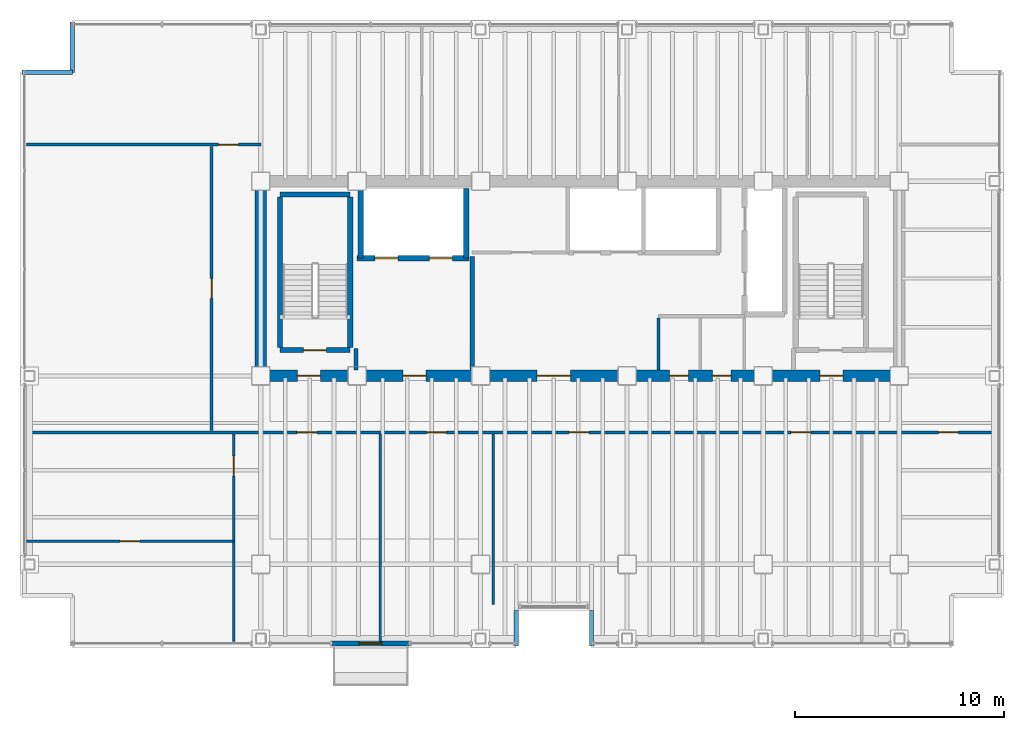
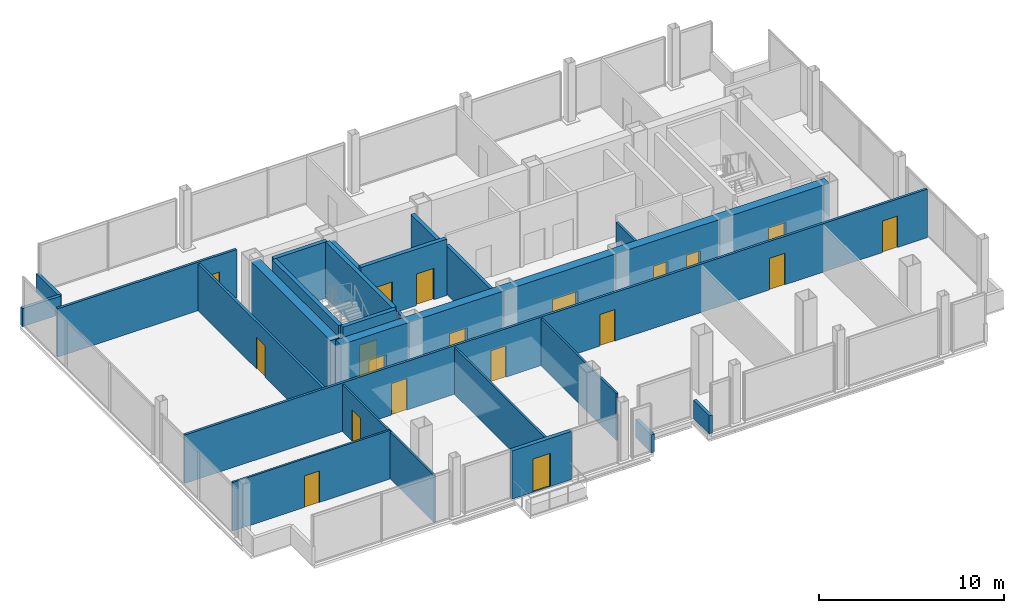
# One storey, part 16 of 18: 24 walls, 19 doors, 19 openings.
"""IFC4 building model written with IfcOpenShell, lengths in metres."""

from ifc_helpers import new_model, si_unit, direction, frame, frame_2d, origin, place, context, subcontext, project, spatial, rectangle, extrude, material, layer, layer_set, type_object, element, fill, save


model = new_model("IFC4")

# Units and contexts
model_context = context("Model", 3, precision=1e-05, world=origin(), true_north=direction((0.0, 1.0)))
body_context = subcontext(model_context, "Body", "Model", "MODEL_VIEW")
ifc_project = project(units=[si_unit("LENGTHUNIT", "METRE"), si_unit("AREAUNIT", "SQUARE_METRE"), si_unit("VOLUMEUNIT", "CUBIC_METRE"), si_unit("PLANEANGLEUNIT", "RADIAN"), si_unit("MASSUNIT", "GRAM", prefix="KILO")], contexts=[model_context])

# Site, building, storey
site_placement = place(None, origin())
site = spatial("IfcSite", under=ifc_project, at=site_placement, CompositionType="ELEMENT")
building_placement = place(site_placement, origin())
building = spatial("IfcBuilding", under=site, at=building_placement, Name="Noeulbin Bourse Tower", CompositionType="ELEMENT")
storey_placement = place(building_placement, frame((0.0, 0.0, 161.699951171875)))
storey = spatial("IfcBuildingStorey", under=building, at=storey_placement, Name="L40", CompositionType="ELEMENT", Elevation=161.699951171875)

# Wall, openings, doors
ifc_material_1 = material(Name="Concrete C60/75", Category="concrete")
ifc_layer_1 = layer(ifc_material_1, 0.550048828125)
ifc_layer_set_1 = layer_set([ifc_layer_1], Name="Concrete C60/75")
wall_type_1 = type_object("IfcWallType", Name="WAL-CORE-550", PredefinedType="SHEAR", material=ifc_layer_set_1)
wall_1_placement = place(storey_placement, frame((13.5, 29.0, 0.0), z_axis=(0.0, 0.0, 1.0), x_axis=(1.0, 0.0, 0.0)))
wall_1 = element("IfcWall", 1, at=wall_1_placement, inside=storey, type_object=wall_type_1, Name="Rear Core South Shear Wall L40", PredefinedType="SHEAR", context=body_context, shape_type="SweptSolid", body=[
    extrude(rectangle(XDim=30.5, YDim=0.550048828125, at=frame_2d((15.25, 0.0))), origin(), (0.0, 0.0, 1.0), 3.719970703125),
])
opening_1_placement = place(wall_1_placement, frame((1.75, 0.0, 0.0)))
opening_1 = element("IfcOpeningElement", 2, at=opening_1_placement, cuts=wall_1, Name="Opening FD-11", PredefinedType="OPENING", context=body_context, shape_type="SweptSolid", body=[
    extrude(rectangle(XDim=1.10009765625, YDim=2.080078125, at=frame_2d((0.550048828125, 1.0400390625))), frame((0.0, 0.284912109375, 0.0), z_axis=(0.0, -1.0, 0.0), x_axis=(1.0, 0.0, 0.0)), (0.0, 0.0, 1.0), 0.570068359375),
])
opening_2_placement = place(wall_1_placement, frame((26.699951171875, 0.0, 0.0)))
opening_2 = element("IfcOpeningElement", 3, at=opening_2_placement, cuts=wall_1, Name="Opening FD-11", PredefinedType="OPENING", context=body_context, shape_type="SweptSolid", body=[
    extrude(rectangle(XDim=1.10009765625, YDim=2.080078125, at=frame_2d((0.550048828125, 1.0400390625))), frame((0.0, 0.284912109375, 0.0), z_axis=(0.0, -1.0, 0.0), x_axis=(1.0, 0.0, 0.0)), (0.0, 0.0, 1.0), 0.570068359375),
])
opening_3_placement = place(wall_1_placement, frame((6.800048828125, 0.0, 0.0)))
opening_3 = element("IfcOpeningElement", 4, at=opening_3_placement, cuts=wall_1, Name="Opening FD-11", PredefinedType="OPENING", context=body_context, shape_type="SweptSolid", body=[
    extrude(rectangle(XDim=1.10009765625, YDim=2.080078125, at=frame_2d((0.550048828125, 1.0400390625))), frame((0.0, 0.284912109375, 0.0), z_axis=(0.0, -1.0, 0.0), x_axis=(1.0, 0.0, 0.0)), (0.0, 0.0, 1.0), 0.570068359375),
])
opening_4_placement = place(wall_1_placement, frame((13.199951171875, 0.0, 0.0)))
opening_4 = element("IfcOpeningElement", 5, at=opening_4_placement, cuts=wall_1, Name="Opening ID-16", PredefinedType="OPENING", context=body_context, shape_type="SweptSolid", body=[
    extrude(rectangle(XDim=1.60009765625, YDim=2.080078125, at=frame_2d((0.800048828125, 1.0400390625))), frame((0.0, 0.284912109375, 0.0), z_axis=(0.0, -1.0, 0.0), x_axis=(1.0, 0.0, 0.0)), (0.0, 0.0, 1.0), 0.570068359375),
])
opening_5_placement = place(wall_1_placement, frame((19.530029296875, 0.0, 0.0)))
opening_5 = element("IfcOpeningElement", 6, at=opening_5_placement, cuts=wall_1, Name="Opening FD-09", PredefinedType="OPENING", context=body_context, shape_type="SweptSolid", body=[
    extrude(rectangle(XDim=0.89990234375, YDim=2.080078125, at=frame_2d((0.449951171875, 1.0400390625))), frame((0.0, 0.284912109375, 0.0), z_axis=(0.0, -1.0, 0.0), x_axis=(1.0, 0.0, 0.0)), (0.0, 0.0, 1.0), 0.570068359375),
])
opening_6_placement = place(wall_1_placement, frame((21.570068359375, 0.0, 0.0)))
opening_6 = element("IfcOpeningElement", 7, at=opening_6_placement, cuts=wall_1, Name="Opening FD-09", PredefinedType="OPENING", context=body_context, shape_type="SweptSolid", body=[
    extrude(rectangle(XDim=0.89990234375, YDim=2.080078125, at=frame_2d((0.449951171875, 1.0400390625))), frame((0.0, 0.284912109375, 0.0), z_axis=(0.0, -1.0, 0.0), x_axis=(1.0, 0.0, 0.0)), (0.0, 0.0, 1.0), 0.570068359375),
])
ifc_material_2 = material(Name="Acoustic Glazed Aluminium", Category="aluminium")
door_type_1 = type_object("IfcDoorType", Name="DR-DBL-1600", OperationType="DOUBLE_DOOR_SINGLE_SWING", PredefinedType="DOOR", material=ifc_material_2)
door_1_placement = place(opening_4_placement, origin())
door_1 = element("IfcDoor", 8, at=door_1_placement, inside=storey, type_object=door_type_1, Name="Passenger Lift Lobby Portal L40", OperationType="DOUBLE_DOOR_SINGLE_SWING", OverallHeight=2.080078125, OverallWidth=1.60009765625, PredefinedType="DOOR", context=body_context, shape_type="SweptSolid", body=[
    extrude(rectangle(XDim=1.60009765625, YDim=2.080078125, at=frame_2d((0.800048828125, 1.0400390625))), frame((0.0, 0.02490234375, 0.0), z_axis=(0.0, -1.0, 0.0), x_axis=(1.0, 0.0, 0.0)), (0.0, 0.0, 1.0), 0.050048828125),
])
fill(opening_4, door_1)
ifc_material_3 = material(Name="Fire-Rated Timber Core", Category="wood")
door_type_2 = type_object("IfcDoorType", Name="DR-FD30-900", OperationType="SINGLE_SWING_RIGHT", PredefinedType="DOOR", material=ifc_material_3)
door_2_placement = place(opening_5_placement, origin())
door_2 = element("IfcDoor", 9, at=door_2_placement, inside=storey, type_object=door_type_2, Name="Interior Door L40-06", OperationType="SINGLE_SWING_LEFT", OverallHeight=2.080078125, OverallWidth=0.89990234375, PredefinedType="DOOR", context=body_context, shape_type="SweptSolid", body=[
    extrude(rectangle(XDim=0.89990234375, YDim=2.080078125, at=frame_2d((0.449951171875, 1.0400390625))), frame((0.0, 0.02490234375, 0.0), z_axis=(0.0, -1.0, 0.0), x_axis=(1.0, 0.0, 0.0)), (0.0, 0.0, 1.0), 0.050048828125),
])
fill(opening_5, door_2)
door_3_placement = place(opening_6_placement, origin())
door_3 = element("IfcDoor", 10, at=door_3_placement, inside=storey, type_object=door_type_2, Name="Interior Door L40-07", OperationType="SINGLE_SWING_RIGHT", OverallHeight=2.080078125, OverallWidth=0.89990234375, PredefinedType="DOOR", context=body_context, shape_type="SweptSolid", body=[
    extrude(rectangle(XDim=0.89990234375, YDim=2.080078125, at=frame_2d((0.449951171875, 1.0400390625))), frame((0.0, 0.02490234375, 0.0), z_axis=(0.0, -1.0, 0.0), x_axis=(1.0, 0.0, 0.0)), (0.0, 0.0, 1.0), 0.050048828125),
])
fill(opening_6, door_3)
ifc_material_4 = material(Name="Fire-Rated Insulated Steel", Category="steel")
door_type_3 = type_object("IfcDoorType", Name="DR-FD60-1100", OperationType="SINGLE_SWING_LEFT", PredefinedType="DOOR", material=ifc_material_4)
door_4_placement = place(opening_1_placement, origin())
door_4 = element("IfcDoor", 11, at=door_4_placement, inside=storey, type_object=door_type_3, Name="West Stair Lobby Door L40", OperationType="SINGLE_SWING_RIGHT", OverallHeight=2.080078125, OverallWidth=1.10009765625, PredefinedType="DOOR", context=body_context, shape_type="SweptSolid", body=[
    extrude(rectangle(XDim=1.10009765625, YDim=2.080078125, at=frame_2d((0.550048828125, 1.0400390625))), frame((0.0, 0.02490234375, 0.0), z_axis=(0.0, -1.0, 0.0), x_axis=(1.0, 0.0, 0.0)), (0.0, 0.0, 1.0), 0.050048828125),
])
fill(opening_1, door_4)
door_5_placement = place(opening_2_placement, origin())
door_5 = element("IfcDoor", 12, at=door_5_placement, inside=storey, type_object=door_type_3, Name="East Stair Lobby Door L40", OperationType="SINGLE_SWING_LEFT", OverallHeight=2.080078125, OverallWidth=1.10009765625, PredefinedType="DOOR", context=body_context, shape_type="SweptSolid", body=[
    extrude(rectangle(XDim=1.10009765625, YDim=2.080078125, at=frame_2d((0.550048828125, 1.0400390625))), frame((0.0, 0.02490234375, 0.0), z_axis=(0.0, -1.0, 0.0), x_axis=(1.0, 0.0, 0.0)), (0.0, 0.0, 1.0), 0.050048828125),
])
fill(opening_2, door_5)
door_6_placement = place(opening_3_placement, origin())
door_6 = element("IfcDoor", 13, at=door_6_placement, inside=storey, type_object=door_type_3, Name="Firefighting Lobby Door L40", OperationType="SINGLE_SWING_RIGHT", OverallHeight=2.080078125, OverallWidth=1.10009765625, PredefinedType="DOOR", context=body_context, shape_type="SweptSolid", body=[
    extrude(rectangle(XDim=1.10009765625, YDim=2.080078125, at=frame_2d((0.550048828125, 1.0400390625))), frame((0.0, 0.02490234375, 0.0), z_axis=(0.0, -1.0, 0.0), x_axis=(1.0, 0.0, 0.0)), (0.0, 0.0, 1.0), 0.050048828125),
])
fill(opening_3, door_6)

# Wall
wall_2_placement = place(storey_placement, frame((13.5, 29.35009765625, 0.0), z_axis=(0.0, 0.0, 1.0), x_axis=(0.0, 1.0, 0.0)))
element("IfcWall", 14, at=wall_2_placement, inside=storey, type_object=wall_type_1, Name="Rear Core West Shear Wall L40", PredefinedType="SHEAR", context=body_context, shape_type="SweptSolid", body=[
    extrude(rectangle(XDim=8.599853515625, YDim=0.550048828125, at=frame_2d((4.2998046875, 0.0))), origin(), (0.0, 0.0, 1.0), 3.719970703125),
])

# Wall, opening, door
ifc_material_5 = material(Name="Precast Concrete C40/50", Category="concrete")
ifc_layer_2 = layer(ifc_material_5, 0.25)
ifc_layer_set_2 = layer_set([ifc_layer_2], Name="Precast Concrete C40/50")
wall_type_2 = type_object("IfcWallType", Name="WAL-EXT-250", PredefinedType="STANDARD", material=ifc_layer_set_2)
wall_3_placement = place(storey_placement, frame((16.89990234375, 16.219970703125, 0.0), z_axis=(0.0, 0.0, 1.0), x_axis=(1.0, 0.0, 0.0)))
wall_3 = element("IfcWall", 15, at=wall_3_placement, inside=storey, type_object=wall_type_2, Name="Balcony Threshold Wall L40", PredefinedType="STANDARD", context=body_context, shape_type="SweptSolid", body=[
    extrude(rectangle(XDim=3.7001953125, YDim=0.25, at=frame_2d((1.85009765625, 0.0))), origin(), (0.0, 0.0, 1.0), 3.179931640625),
])
opening_7_placement = place(wall_3_placement, frame((1.300048828125, 0.0, 0.0)))
opening_7 = element("IfcOpeningElement", 16, at=opening_7_placement, cuts=wall_3, Name="Opening BD-11", PredefinedType="OPENING", context=body_context, shape_type="SweptSolid", body=[
    extrude(rectangle(XDim=1.10009765625, YDim=2.199951171875, at=frame_2d((0.550048828125, 1.10009765625))), frame((0.0, 0.135009765625, 0.0), z_axis=(0.0, -1.0, 0.0), x_axis=(1.0, 0.0, 0.0)), (0.0, 0.0, 1.0), 0.27001953125),
])
ifc_material_6 = material(Name="Thermally Broken Aluminium Framed Glass", Category="aluminium")
door_type_4 = type_object("IfcDoorType", Name="DR-BAL-1100", OperationType="SINGLE_SWING_LEFT", PredefinedType="DOOR", material=ifc_material_6)
door_7_placement = place(opening_7_placement, origin())
door_7 = element("IfcDoor", 17, at=door_7_placement, inside=storey, type_object=door_type_4, Name="Tree-Balcony Access Door BD-L40", OperationType="SINGLE_SWING_RIGHT", OverallHeight=2.199951171875, OverallWidth=1.10009765625, PredefinedType="DOOR", context=body_context, shape_type="SweptSolid", body=[
    extrude(rectangle(XDim=1.10009765625, YDim=2.199951171875, at=frame_2d((0.550048828125, 1.10009765625))), frame((0.0, 0.02490234375, 0.0), z_axis=(0.0, -1.0, 0.0), x_axis=(1.0, 0.0, 0.0)), (0.0, 0.0, 1.0), 0.050048828125),
])
fill(opening_7, door_7)

# Walls
ifc_material_7 = material(Name="Concrete C40/50", Category="concrete")
ifc_layer_3 = layer(ifc_material_7, 0.199951171875)
ifc_layer_set_3 = layer_set([ifc_layer_3], Name="Concrete C40/50")
wall_type_3 = type_object("IfcWallType", Name="WAL-FIRE-200", PredefinedType="STANDARD", material=ifc_layer_set_3)
wall_4_placement = place(storey_placement, frame((18.050048828125, 29.284912109375, 0.0), z_axis=(0.0, 0.0, 1.0), x_axis=(0.0, 1.0, 0.0)))
element("IfcWall", 18, at=wall_4_placement, inside=storey, type_object=wall_type_3, Name="Interior Partition Wall L40-08", PredefinedType="STANDARD", context=body_context, shape_type="SweptSolid", body=[
    extrude(rectangle(XDim=1.01513671875, YDim=0.199951171875, at=frame_2d((0.507568359375, 0.0))), origin(), (0.0, 0.0, 1.0), 3.35009765625),
])
wall_5_placement = place(storey_placement, frame((23.60009765625, 29.284912109375, 0.0), z_axis=(0.0, 0.0, 1.0), x_axis=(0.0, 1.0, 0.0)))
element("IfcWall", 19, at=wall_5_placement, inside=storey, type_object=wall_type_3, Name="Interior Partition Wall L40-10", PredefinedType="STANDARD", context=body_context, shape_type="SweptSolid", body=[
    extrude(rectangle(XDim=5.4150390625, YDim=0.199951171875, at=frame_2d((2.70751953125, 0.0))), origin(), (0.0, 0.0, 1.0), 3.199951171875),
])
ifc_layer_4 = layer(ifc_material_7, 0.199951171875)
ifc_layer_set_4 = layer_set([ifc_layer_4], Name="Concrete C40/50")
wall_type_4 = type_object("IfcWallType", Name="WAL-PAR-200", PredefinedType="PARAPET", material=ifc_layer_set_4)
for number, where, z_axis, x_axis, name in (
    (20, (2.10009765625, 43.5, 0.0), (0.0, 0.0, 1.0), (1.0, 0.0, 0.0), "Corner Notch Parapet L40-NW1"),
    (21, (4.5, 43.5, 0.0), (0.0, 0.0, 1.0), (0.0, 1.0, 0.0), "Corner Notch Parapet L40-NW2"),
):
    element("IfcWall", number, at=place(storey_placement, frame(where, z_axis=z_axis, x_axis=x_axis)), inside=storey, type_object=wall_type_4, Name=name, PredefinedType="PARAPET", context=body_context, shape_type="SweptSolid", body=[
        extrude(rectangle(XDim=2.39990234375, YDim=0.199951171875, at=frame_2d((1.199951171875, 0.0))), origin(), (0.0, 0.0, 1.0), 1.199951171875),
    ])
for number, where, z_axis, x_axis, name in (
    (22, (25.699951171875, 16.10009765625, 0.0), (0.0, 0.0, 1.0), (0.0, 1.0, 0.0), "Sky-Garden Recess Parapet L40-W"),
    (23, (29.300048828125, 17.800048828125, 0.0), (0.0, 0.0, 1.0), (0.0, -1.0, 0.0), "Sky-Garden Recess Parapet L40-E"),
):
    element("IfcWall", number, at=place(storey_placement, frame(where, z_axis=z_axis, x_axis=x_axis)), inside=storey, type_object=wall_type_4, Name=name, PredefinedType="PARAPET", context=body_context, shape_type="SweptSolid", body=[
        extrude(rectangle(XDim=1.699951171875, YDim=0.199951171875, at=frame_2d((0.85009765625, 0.0))), origin(), (0.0, 0.0, 1.0), 1.199951171875),
    ])

# Wall, opening, door
ifc_material_8 = material(Name="Steel Stud Gypsum Partition", Category="steel")
ifc_layer_5 = layer(ifc_material_8, 0.1201171875)
ifc_layer_set_5 = layer_set([ifc_layer_5], Name="Steel Stud Gypsum Partition")
wall_type_5 = type_object("IfcWallType", Name="WAL-PRT-120", PredefinedType="PARTITIONING", material=ifc_layer_set_5)
wall_6_placement = place(storey_placement, frame((2.31005859375, 21.10009765625, 0.0), z_axis=(0.0, 0.0, 1.0), x_axis=(1.0, 0.0, 0.0)))
wall_6 = element("IfcWall", 24, at=wall_6_placement, inside=storey, type_object=wall_type_5, Name="Interior Partition Wall L40-05", PredefinedType="PARTITIONING", context=body_context, shape_type="SweptSolid", body=[
    extrude(rectangle(XDim=9.889892578125, YDim=0.1201171875, at=frame_2d((4.94482421875, 0.0))), origin(), (0.0, 0.0, 1.0), 3.212158203125),
])
opening_8_placement = place(wall_6_placement, frame((4.469970703125, 0.0, 0.0)))
opening_8 = element("IfcOpeningElement", 25, at=opening_8_placement, cuts=wall_6, Name="Opening ID-09", PredefinedType="OPENING", context=body_context, shape_type="SweptSolid", body=[
    extrude(rectangle(XDim=0.949951171875, YDim=2.080078125, at=frame_2d((0.47509765625, 1.0400390625))), frame((0.0, 0.070068359375, 0.0), z_axis=(0.0, -1.0, 0.0), x_axis=(1.0, 0.0, 0.0)), (0.0, 0.0, 1.0), 0.14013671875),
])
ifc_material_9 = material(Name="Acoustic Solid-Core Timber", Category="wood")
door_type_5 = type_object("IfcDoorType", Name="DR-SINGLE-950", OperationType="SINGLE_SWING_LEFT", PredefinedType="DOOR", material=ifc_material_9)
door_8_placement = place(opening_8_placement, origin())
door_8 = element("IfcDoor", 26, at=door_8_placement, inside=storey, type_object=door_type_5, Name="Interior Door L40-08", OperationType="SINGLE_SWING_LEFT", OverallHeight=2.080078125, OverallWidth=0.949951171875, PredefinedType="DOOR", context=body_context, shape_type="SweptSolid", body=[
    extrude(rectangle(XDim=0.949951171875, YDim=2.080078125, at=frame_2d((0.47509765625, 1.0400390625))), frame((0.0, 0.02490234375, 0.0), z_axis=(0.0, -1.0, 0.0), x_axis=(1.0, 0.0, 0.0)), (0.0, 0.0, 1.0), 0.050048828125),
])
fill(opening_8, door_8)

wall_7_placement = place(storey_placement, frame((12.199951171875, 16.31005859375, 0.0), z_axis=(0.0, 0.0, 1.0), x_axis=(0.0, 1.0, 0.0)))
wall_7 = element("IfcWall", 27, at=wall_7_placement, inside=storey, type_object=wall_type_5, Name="Interior Partition Wall L40-15", PredefinedType="PARTITIONING", context=body_context, shape_type="SweptSolid", body=[
    extrude(rectangle(XDim=9.905029296875, YDim=0.1201171875, at=frame_2d((4.95263671875, 0.0))), origin(), (0.0, 0.0, 1.0), 3.10009765625),
])
opening_9_placement = place(wall_7_placement, frame((7.9150390625, 0.0, 0.0)))
opening_9 = element("IfcOpeningElement", 28, at=opening_9_placement, cuts=wall_7, Name="Opening ID-09", PredefinedType="OPENING", context=body_context, shape_type="SweptSolid", body=[
    extrude(rectangle(XDim=0.949951171875, YDim=2.080078125, at=frame_2d((0.47509765625, 1.0400390625))), frame((0.0, 0.070068359375, 0.0), z_axis=(0.0, -1.0, 0.0), x_axis=(1.0, 0.0, 0.0)), (0.0, 0.0, 1.0), 0.14013671875),
])
door_9_placement = place(opening_9_placement, origin())
door_9 = element("IfcDoor", 29, at=door_9_placement, inside=storey, type_object=door_type_5, Name="Interior Door L40-09", OperationType="SINGLE_SWING_RIGHT", OverallHeight=2.080078125, OverallWidth=0.949951171875, PredefinedType="DOOR", context=body_context, shape_type="SweptSolid", body=[
    extrude(rectangle(XDim=0.949951171875, YDim=2.080078125, at=frame_2d((0.47509765625, 1.0400390625))), frame((0.0, 0.02490234375, 0.0), z_axis=(0.0, -1.0, 0.0), x_axis=(1.0, 0.0, 0.0)), (0.0, 0.0, 1.0), 0.050048828125),
])
fill(opening_9, door_9)

# Walls
wall_8_placement = place(storey_placement, frame((19.199951171875, 16.31005859375, 0.0), z_axis=(0.0, 0.0, 1.0), x_axis=(0.0, 1.0, 0.0)))
element("IfcWall", 30, at=wall_8_placement, inside=storey, type_object=wall_type_5, Name="Interior Partition Wall L40-16", PredefinedType="PARTITIONING", context=body_context, shape_type="SweptSolid", body=[
    extrude(rectangle(XDim=9.905029296875, YDim=0.1201171875, at=frame_2d((4.95263671875, 0.0))), origin(), (0.0, 0.0, 1.0), 3.10009765625),
])
wall_9_placement = place(storey_placement, frame((24.60009765625, 18.070068359375, 0.0), z_axis=(0.0, 0.0, 1.0), x_axis=(0.0, 1.0, 0.0)))
element("IfcWall", 31, at=wall_9_placement, inside=storey, type_object=wall_type_5, Name="Interior Partition Wall L40-17", PredefinedType="PARTITIONING", context=body_context, shape_type="SweptSolid", body=[
    extrude(rectangle(XDim=8.14501953125, YDim=0.1201171875, at=frame_2d((4.072509765625, 0.0))), origin(), (0.0, 0.0, 1.0), 3.10009765625),
])

# Wall, openings, doors
ifc_material_10 = material(Name="Steel Stud Acoustic Gypsum Board", Category="steel")
ifc_layer_6 = layer(ifc_material_10, 0.14990234375)
ifc_layer_set_6 = layer_set([ifc_layer_6], Name="Steel Stud Acoustic Gypsum Board")
wall_type_6 = type_object("IfcWallType", Name="WAL-PRT-150", PredefinedType="PARTITIONING", material=ifc_layer_set_6)
wall_10_placement = place(storey_placement, frame((2.31005859375, 26.300048828125, 0.0), z_axis=(0.0, 0.0, 1.0), x_axis=(1.0, 0.0, 0.0)))
wall_10 = element("IfcWall", 32, at=wall_10_placement, inside=storey, type_object=wall_type_6, Name="Interior Partition Wall L40-04", PredefinedType="PARTITIONING", context=body_context, shape_type="SweptSolid", body=[
    extrude(rectangle(XDim=46.3798828125, YDim=0.14990234375, at=frame_2d((23.18994140625, 0.0))), origin(), (0.0, 0.0, 1.0), 3.199951171875),
])
opening_10_placement = place(wall_10_placement, frame((12.9150390625, 0.0, 0.0)))
opening_10 = element("IfcOpeningElement", 33, at=opening_10_placement, cuts=wall_10, Name="Opening ID-09", PredefinedType="OPENING", context=body_context, shape_type="SweptSolid", body=[
    extrude(rectangle(XDim=0.949951171875, YDim=2.080078125, at=frame_2d((0.47509765625, 1.0400390625))), frame((0.0, 0.0849609375, 0.0), z_axis=(0.0, -1.0, 0.0), x_axis=(1.0, 0.0, 0.0)), (0.0, 0.0, 1.0), 0.169921875),
])
opening_11_placement = place(wall_10_placement, frame((19.114990234375, 0.0, 0.0)))
opening_11 = element("IfcOpeningElement", 34, at=opening_11_placement, cuts=wall_10, Name="Opening ID-09", PredefinedType="OPENING", context=body_context, shape_type="SweptSolid", body=[
    extrude(rectangle(XDim=0.949951171875, YDim=2.080078125, at=frame_2d((0.47509765625, 1.0400390625))), frame((0.0, 0.0849609375, 0.0), z_axis=(0.0, -1.0, 0.0), x_axis=(1.0, 0.0, 0.0)), (0.0, 0.0, 1.0), 0.169921875),
])
opening_12_placement = place(wall_10_placement, frame((25.9150390625, 0.0, 0.0)))
opening_12 = element("IfcOpeningElement", 35, at=opening_12_placement, cuts=wall_10, Name="Opening ID-09", PredefinedType="OPENING", context=body_context, shape_type="SweptSolid", body=[
    extrude(rectangle(XDim=0.949951171875, YDim=2.080078125, at=frame_2d((0.47509765625, 1.0400390625))), frame((0.0, 0.0849609375, 0.0), z_axis=(0.0, -1.0, 0.0), x_axis=(1.0, 0.0, 0.0)), (0.0, 0.0, 1.0), 0.169921875),
])
opening_13_placement = place(wall_10_placement, frame((36.514892578125, 0.0, 0.0)))
opening_13 = element("IfcOpeningElement", 36, at=opening_13_placement, cuts=wall_10, Name="Opening ID-09", PredefinedType="OPENING", context=body_context, shape_type="SweptSolid", body=[
    extrude(rectangle(XDim=0.949951171875, YDim=2.080078125, at=frame_2d((0.47509765625, 1.0400390625))), frame((0.0, 0.0849609375, 0.0), z_axis=(0.0, -1.0, 0.0), x_axis=(1.0, 0.0, 0.0)), (0.0, 0.0, 1.0), 0.169921875),
])
opening_14_placement = place(wall_10_placement, frame((43.56005859375, 0.0, 0.0)))
opening_14 = element("IfcOpeningElement", 37, at=opening_14_placement, cuts=wall_10, Name="Opening ID-09", PredefinedType="OPENING", context=body_context, shape_type="SweptSolid", body=[
    extrude(rectangle(XDim=0.949951171875, YDim=2.080078125, at=frame_2d((0.47509765625, 1.0400390625))), frame((0.0, 0.0849609375, 0.0), z_axis=(0.0, -1.0, 0.0), x_axis=(1.0, 0.0, 0.0)), (0.0, 0.0, 1.0), 0.169921875),
])
door_10_placement = place(opening_10_placement, origin())
door_10 = element("IfcDoor", 38, at=door_10_placement, inside=storey, type_object=door_type_5, Name="Interior Door L40-10", OperationType="SINGLE_SWING_LEFT", OverallHeight=2.080078125, OverallWidth=0.949951171875, PredefinedType="DOOR", context=body_context, shape_type="SweptSolid", body=[
    extrude(rectangle(XDim=0.949951171875, YDim=2.080078125, at=frame_2d((0.47509765625, 1.0400390625))), frame((0.0, 0.02490234375, 0.0), z_axis=(0.0, -1.0, 0.0), x_axis=(1.0, 0.0, 0.0)), (0.0, 0.0, 1.0), 0.050048828125),
])
fill(opening_10, door_10)
door_11_placement = place(opening_11_placement, origin())
door_11 = element("IfcDoor", 39, at=door_11_placement, inside=storey, type_object=door_type_5, Name="Interior Door L40-11", OperationType="SINGLE_SWING_RIGHT", OverallHeight=2.080078125, OverallWidth=0.949951171875, PredefinedType="DOOR", context=body_context, shape_type="SweptSolid", body=[
    extrude(rectangle(XDim=0.949951171875, YDim=2.080078125, at=frame_2d((0.47509765625, 1.0400390625))), frame((0.0, 0.02490234375, 0.0), z_axis=(0.0, -1.0, 0.0), x_axis=(1.0, 0.0, 0.0)), (0.0, 0.0, 1.0), 0.050048828125),
])
fill(opening_11, door_11)
door_12_placement = place(opening_12_placement, origin())
door_12 = element("IfcDoor", 40, at=door_12_placement, inside=storey, type_object=door_type_5, Name="Interior Door L40-12", OperationType="SINGLE_SWING_LEFT", OverallHeight=2.080078125, OverallWidth=0.949951171875, PredefinedType="DOOR", context=body_context, shape_type="SweptSolid", body=[
    extrude(rectangle(XDim=0.949951171875, YDim=2.080078125, at=frame_2d((0.47509765625, 1.0400390625))), frame((0.0, 0.02490234375, 0.0), z_axis=(0.0, -1.0, 0.0), x_axis=(1.0, 0.0, 0.0)), (0.0, 0.0, 1.0), 0.050048828125),
])
fill(opening_12, door_12)
door_13_placement = place(opening_13_placement, origin())
door_13 = element("IfcDoor", 41, at=door_13_placement, inside=storey, type_object=door_type_5, Name="Interior Door L40-13", OperationType="SINGLE_SWING_RIGHT", OverallHeight=2.080078125, OverallWidth=0.949951171875, PredefinedType="DOOR", context=body_context, shape_type="SweptSolid", body=[
    extrude(rectangle(XDim=0.949951171875, YDim=2.080078125, at=frame_2d((0.47509765625, 1.0400390625))), frame((0.0, 0.02490234375, 0.0), z_axis=(0.0, -1.0, 0.0), x_axis=(1.0, 0.0, 0.0)), (0.0, 0.0, 1.0), 0.050048828125),
])
fill(opening_13, door_13)
door_14_placement = place(opening_14_placement, origin())
door_14 = element("IfcDoor", 42, at=door_14_placement, inside=storey, type_object=door_type_5, Name="Interior Door L40-14", OperationType="SINGLE_SWING_LEFT", OverallHeight=2.080078125, OverallWidth=0.949951171875, PredefinedType="DOOR", context=body_context, shape_type="SweptSolid", body=[
    extrude(rectangle(XDim=0.949951171875, YDim=2.080078125, at=frame_2d((0.47509765625, 1.0400390625))), frame((0.0, 0.02490234375, 0.0), z_axis=(0.0, -1.0, 0.0), x_axis=(1.0, 0.0, 0.0)), (0.0, 0.0, 1.0), 0.050048828125),
])
fill(opening_14, door_14)

# Wall, opening, door
wall_11_placement = place(storey_placement, frame((2.31005859375, 40.050048828125, 0.0), z_axis=(0.0, 0.0, 1.0), x_axis=(1.0, 0.0, 0.0)))
wall_11 = element("IfcWall", 43, at=wall_11_placement, inside=storey, type_object=wall_type_6, Name="Interior Partition Wall L40-06", PredefinedType="PARTITIONING", context=body_context, shape_type="SweptSolid", body=[
    extrude(rectangle(XDim=11.18994140625, YDim=0.14990234375, at=frame_2d((5.594970703125, 0.0))), origin(), (0.0, 0.0, 1.0), 3.199951171875),
])
opening_15_placement = place(wall_11_placement, frame((9.1650390625, 0.0, 0.0)))
opening_15 = element("IfcOpeningElement", 44, at=opening_15_placement, cuts=wall_11, Name="Opening ID-09", PredefinedType="OPENING", context=body_context, shape_type="SweptSolid", body=[
    extrude(rectangle(XDim=0.949951171875, YDim=2.080078125, at=frame_2d((0.47509765625, 1.0400390625))), frame((0.0, 0.0849609375, 0.0), z_axis=(0.0, -1.0, 0.0), x_axis=(1.0, 0.0, 0.0)), (0.0, 0.0, 1.0), 0.169921875),
])
door_15_placement = place(opening_15_placement, origin())
door_15 = element("IfcDoor", 45, at=door_15_placement, inside=storey, type_object=door_type_5, Name="Interior Door L40-16", OperationType="SINGLE_SWING_LEFT", OverallHeight=2.080078125, OverallWidth=0.949951171875, PredefinedType="DOOR", context=body_context, shape_type="SweptSolid", body=[
    extrude(rectangle(XDim=0.949951171875, YDim=2.080078125, at=frame_2d((0.47509765625, 1.0400390625))), frame((0.0, 0.02490234375, 0.0), z_axis=(0.0, -1.0, 0.0), x_axis=(1.0, 0.0, 0.0)), (0.0, 0.0, 1.0), 0.050048828125),
])
fill(opening_15, door_15)

# Wall
wall_12_placement = place(storey_placement, frame((32.5, 29.284912109375, 0.0), z_axis=(0.0, 0.0, 1.0), x_axis=(0.0, 1.0, 0.0)))
element("IfcWall", 46, at=wall_12_placement, inside=storey, type_object=wall_type_6, Name="Interior Partition Wall L40-11", PredefinedType="PARTITIONING", context=body_context, shape_type="SweptSolid", body=[
    extrude(rectangle(XDim=2.47998046875, YDim=0.14990234375, at=frame_2d((1.239990234375, 0.0))), origin(), (0.0, 0.0, 1.0), 3.35009765625),
])

# Wall, opening, door
wall_13_placement = place(storey_placement, frame((11.14990234375, 26.385009765625, 0.0), z_axis=(0.0, 0.0, 1.0), x_axis=(0.0, 1.0, 0.0)))
wall_13 = element("IfcWall", 47, at=wall_13_placement, inside=storey, type_object=wall_type_6, Name="Interior Partition Wall L40-14", PredefinedType="PARTITIONING", context=body_context, shape_type="SweptSolid", body=[
    extrude(rectangle(XDim=13.580078125, YDim=0.14990234375, at=frame_2d((6.7900390625, 0.0))), origin(), (0.0, 0.0, 1.0), 3.10009765625),
])
opening_16_placement = place(wall_13_placement, frame((6.31494140625, 0.0, 0.0)))
opening_16 = element("IfcOpeningElement", 48, at=opening_16_placement, cuts=wall_13, Name="Opening ID-09", PredefinedType="OPENING", context=body_context, shape_type="SweptSolid", body=[
    extrude(rectangle(XDim=0.949951171875, YDim=2.080078125, at=frame_2d((0.47509765625, 1.0400390625))), frame((0.0, 0.0849609375, 0.0), z_axis=(0.0, -1.0, 0.0), x_axis=(1.0, 0.0, 0.0)), (0.0, 0.0, 1.0), 0.169921875),
])
door_16_placement = place(opening_16_placement, origin())
door_16 = element("IfcDoor", 49, at=door_16_placement, inside=storey, type_object=door_type_5, Name="Interior Door L40-15", OperationType="SINGLE_SWING_RIGHT", OverallHeight=2.080078125, OverallWidth=0.949951171875, PredefinedType="DOOR", context=body_context, shape_type="SweptSolid", body=[
    extrude(rectangle(XDim=0.949951171875, YDim=2.080078125, at=frame_2d((0.47509765625, 1.0400390625))), frame((0.0, 0.02490234375, 0.0), z_axis=(0.0, -1.0, 0.0), x_axis=(1.0, 0.0, 0.0)), (0.0, 0.0, 1.0), 0.050048828125),
])
fill(opening_16, door_16)

ifc_layer_7 = layer(ifc_material_7, 0.25)
ifc_layer_set_7 = layer_set([ifc_layer_7], Name="Concrete C40/50")
wall_type_7 = type_object("IfcWallType", Name="WAL-SHFT-250", PredefinedType="STANDARD", material=ifc_layer_set_7)
wall_14_placement = place(storey_placement, frame((14.429931640625, 30.235107421875, 0.0), z_axis=(0.0, 0.0, 1.0), x_axis=(1.0, 0.0, 0.0)))
wall_14 = element("IfcWall", 50, at=wall_14_placement, inside=storey, type_object=wall_type_7, Name="Stair ST-1 South Shaft Wall L40", PredefinedType="STANDARD", context=body_context, shape_type="SweptSolid", body=[
    extrude(rectangle(XDim=3.340087890625, YDim=0.25, at=frame_2d((1.669921875, 0.0))), origin(), (0.0, 0.0, 1.0), 3.719970703125),
])
opening_17_placement = place(wall_14_placement, frame((1.10009765625, 0.0, 0.0)))
opening_17 = element("IfcOpeningElement", 51, at=opening_17_placement, cuts=wall_14, Name="Opening FD-11", PredefinedType="OPENING", context=body_context, shape_type="SweptSolid", body=[
    extrude(rectangle(XDim=1.10009765625, YDim=2.080078125, at=frame_2d((0.550048828125, 1.0400390625))), frame((0.0, 0.135009765625, 0.0), z_axis=(0.0, -1.0, 0.0), x_axis=(1.0, 0.0, 0.0)), (0.0, 0.0, 1.0), 0.27001953125),
])
door_17_placement = place(opening_17_placement, origin())
door_17 = element("IfcDoor", 52, at=door_17_placement, inside=storey, type_object=door_type_3, Name="Protected Stair Entry Door ST1-L40", OperationType="SINGLE_SWING_RIGHT", OverallHeight=2.080078125, OverallWidth=1.10009765625, PredefinedType="DOOR", context=body_context, shape_type="SweptSolid", body=[
    extrude(rectangle(XDim=1.10009765625, YDim=2.080078125, at=frame_2d((0.550048828125, 1.0400390625))), frame((0.0, 0.02490234375, 0.0), z_axis=(0.0, -1.0, 0.0), x_axis=(1.0, 0.0, 0.0)), (0.0, 0.0, 1.0), 0.050048828125),
])
fill(opening_17, door_17)

# Walls
wall_15_placement = place(storey_placement, frame((14.429931640625, 37.6689453125, 0.0), z_axis=(0.0, 0.0, 1.0), x_axis=(1.0, 0.0, 0.0)))
element("IfcWall", 53, at=wall_15_placement, inside=storey, type_object=wall_type_7, Name="Stair ST-1 North Shaft Wall L40", PredefinedType="STANDARD", context=body_context, shape_type="SweptSolid", body=[
    extrude(rectangle(XDim=3.340087890625, YDim=0.25, at=frame_2d((1.669921875, 0.0))), origin(), (0.0, 0.0, 1.0), 3.719970703125),
])
for number, where, z_axis, x_axis, name in (
    (54, (14.425048828125, 30.360107421875, 0.0), (0.0, 0.0, 1.0), (0.0, 1.0, 0.0), "Stair ST-1 West Shaft Wall L40"),
    (55, (17.77490234375, 30.360107421875, 0.0), (0.0, 0.0, 1.0), (0.0, 1.0, 0.0), "Stair ST-1 East Shaft Wall L40"),
):
    element("IfcWall", number, at=place(storey_placement, frame(where, z_axis=z_axis, x_axis=x_axis)), inside=storey, type_object=wall_type_7, Name=name, PredefinedType="STANDARD", context=body_context, shape_type="SweptSolid", body=[
        extrude(rectangle(XDim=7.183837890625, YDim=0.25, at=frame_2d((3.591796875, 0.0))), origin(), (0.0, 0.0, 1.0), 3.719970703125),
    ])

# Wall, openings, doors
wall_16_placement = place(storey_placement, frame((18.10009765625, 34.6201171875, 0.0), z_axis=(0.0, 0.0, 1.0), x_axis=(1.0, 0.0, 0.0)))
wall_16 = element("IfcWall", 56, at=wall_16_placement, inside=storey, type_object=wall_type_7, Name="Firefighting Lift Shaft Front L40", PredefinedType="STANDARD", context=body_context, shape_type="SweptSolid", body=[
    extrude(rectangle(XDim=5.349853515625, YDim=0.25, at=frame_2d((2.6748046875, 0.0))), origin(), (0.0, 0.0, 1.0), 3.719970703125),
])
opening_18_placement = place(wall_16_placement, frame((0.85009765625, 0.0, 0.0)))
opening_18 = element("IfcOpeningElement", 57, at=opening_18_placement, cuts=wall_16, Name="Opening LD-11", PredefinedType="OPENING", context=body_context, shape_type="SweptSolid", body=[
    extrude(rectangle(XDim=1.10009765625, YDim=2.080078125, at=frame_2d((0.550048828125, 1.0400390625))), frame((0.0, 0.135009765625, 0.0), z_axis=(0.0, -1.0, 0.0), x_axis=(1.0, 0.0, 0.0)), (0.0, 0.0, 1.0), 0.27001953125),
])
opening_19_placement = place(wall_16_placement, frame((3.449951171875, 0.0, 0.0)))
opening_19 = element("IfcOpeningElement", 58, at=opening_19_placement, cuts=wall_16, Name="Opening LD-11", PredefinedType="OPENING", context=body_context, shape_type="SweptSolid", body=[
    extrude(rectangle(XDim=1.10009765625, YDim=2.080078125, at=frame_2d((0.550048828125, 1.0400390625))), frame((0.0, 0.135009765625, 0.0), z_axis=(0.0, -1.0, 0.0), x_axis=(1.0, 0.0, 0.0)), (0.0, 0.0, 1.0), 0.27001953125),
])
ifc_material_11 = material(Name="Brushed Stainless Steel 316", Category="steel")
door_type_6 = type_object("IfcDoorType", Name="DR-LIFT-1100", OperationType="SLIDING_TO_LEFT", PredefinedType="DOOR", material=ifc_material_11)
door_18_placement = place(opening_18_placement, origin())
door_18 = element("IfcDoor", 59, at=door_18_placement, inside=storey, type_object=door_type_6, Name="Lift Landing Door LD-FL-01-L40", OperationType="SLIDING_TO_LEFT", OverallHeight=2.080078125, OverallWidth=1.10009765625, PredefinedType="DOOR", context=body_context, shape_type="SweptSolid", body=[
    extrude(rectangle(XDim=1.10009765625, YDim=2.080078125, at=frame_2d((0.550048828125, 1.0400390625))), frame((0.0, 0.02490234375, 0.0), z_axis=(0.0, -1.0, 0.0), x_axis=(1.0, 0.0, 0.0)), (0.0, 0.0, 1.0), 0.050048828125),
])
fill(opening_18, door_18)
door_19_placement = place(opening_19_placement, origin())
door_19 = element("IfcDoor", 60, at=door_19_placement, inside=storey, type_object=door_type_6, Name="Lift Landing Door LD-FL-02-L40", OperationType="SLIDING_TO_LEFT", OverallHeight=2.080078125, OverallWidth=1.10009765625, PredefinedType="DOOR", context=body_context, shape_type="SweptSolid", body=[
    extrude(rectangle(XDim=1.10009765625, YDim=2.080078125, at=frame_2d((0.550048828125, 1.0400390625))), frame((0.0, 0.02490234375, 0.0), z_axis=(0.0, -1.0, 0.0), x_axis=(1.0, 0.0, 0.0)), (0.0, 0.0, 1.0), 0.050048828125),
])
fill(opening_19, door_19)

# Walls
for number, where, z_axis, x_axis, name in (
    (61, (18.280029296875, 34.6201171875, 0.0), (0.0, 0.0, 1.0), (0.0, 1.0, 0.0), "Firefighting Lift West Shaft Wall L40"),
    (62, (23.320068359375, 34.6201171875, 0.0), (0.0, 0.0, 1.0), (0.0, 1.0, 0.0), "Firefighting Lift East Shaft Wall L40"),
):
    element("IfcWall", number, at=place(storey_placement, frame(where, z_axis=z_axis, x_axis=x_axis)), inside=storey, type_object=wall_type_7, Name=name, PredefinedType="STANDARD", context=body_context, shape_type="SweptSolid", body=[
        extrude(rectangle(XDim=3.329833984375, YDim=0.25, at=frame_2d((1.6650390625, 0.0))), origin(), (0.0, 0.0, 1.0), 3.35009765625),
    ])

save(model, "model.ifc")
